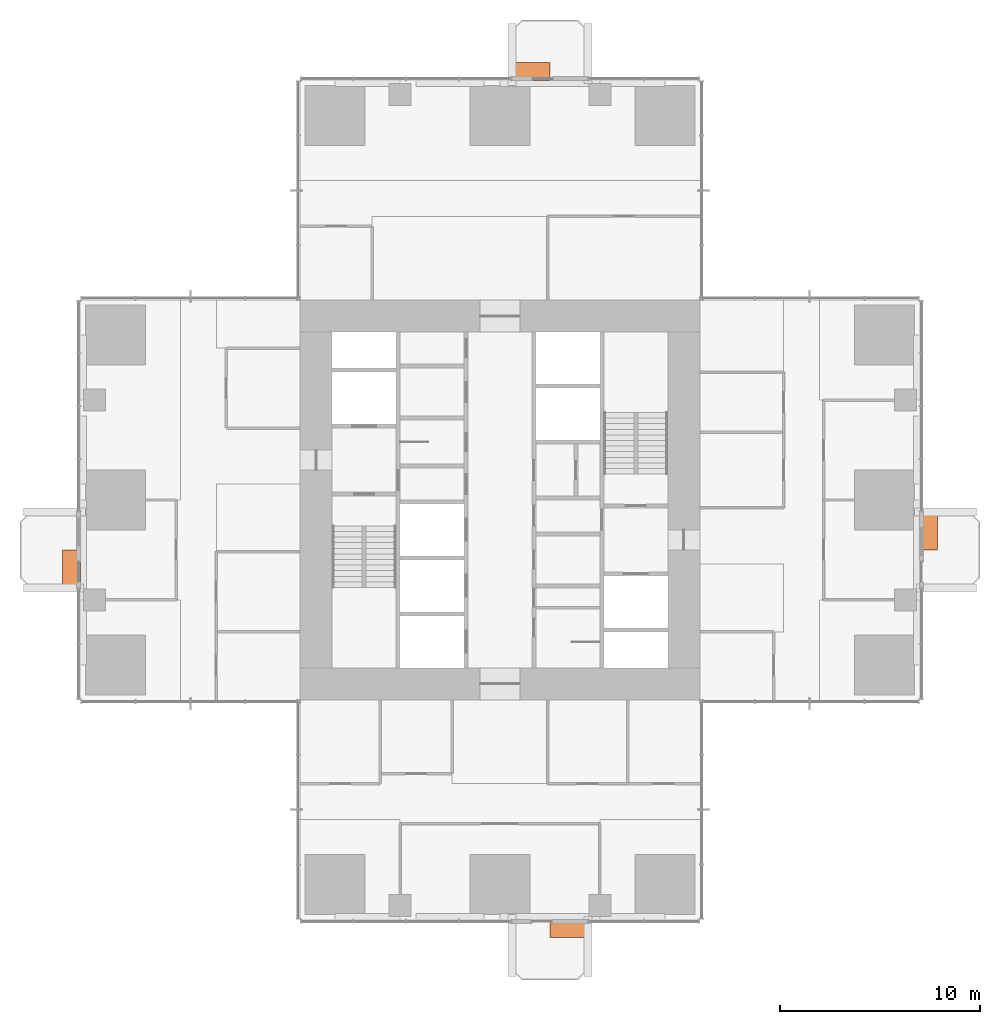
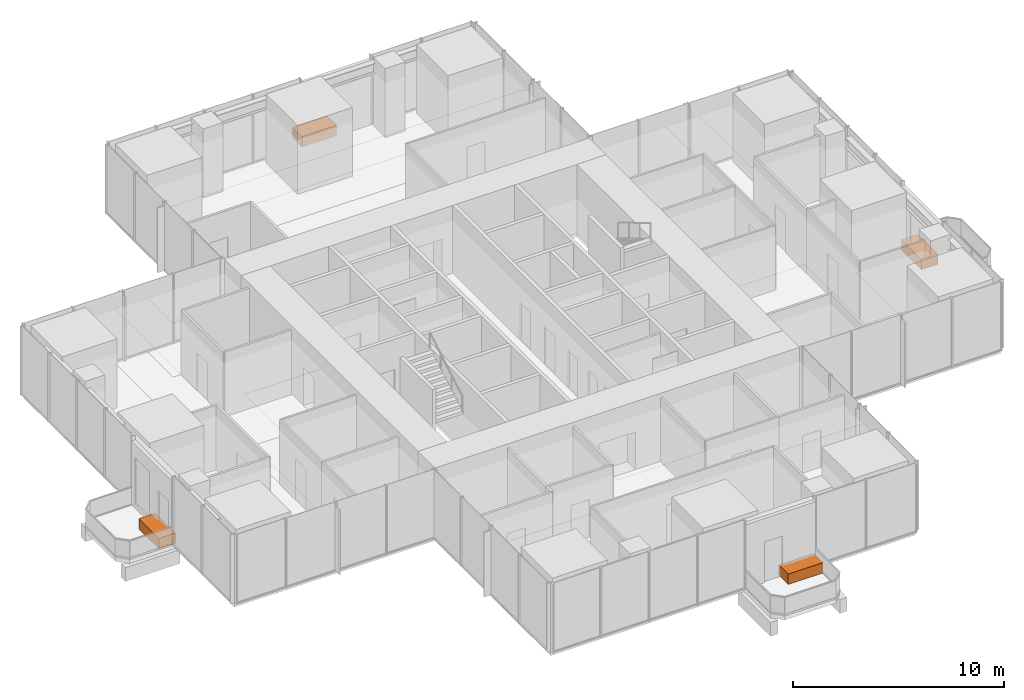
# One storey, part 13 of 13: 4 proxies.
"""IFC4 building model written with IfcOpenShell, lengths in metres."""

import ifcopenshell
import ifcopenshell.guid

model = None  # the IFC model being written
_history = None  # IfcOwnerHistory: only IFC2X3 demands one
_inside = {}  # id of a spatial element -> (the spatial element, [elements in it])
_under = {}  # id of a project, library or spatial element -> (it, [spatial elements below it])
_declared = {}  # id of a project -> (the project, [libraries it declares])
_typed = {}  # id of a type object -> (the type object, [elements of that type])
_made_of = {}  # id of a material, layer set ... -> (it, [elements and type objects made of it])


def new_model(schema):
    """Start an empty IFC model of exactly this schema.

    Asked for "IFC4X3", IfcOpenShell would pick the latest addendum, in which some entities
    have other attributes; the version numbers below select the first issue.
    IFC2X3 requires an IfcOwnerHistory on every rooted entity: one is made here for all.
    """
    global model, _history
    if schema == "IFC4X3":
        model = ifcopenshell.file(schema_version=(4, 3, 0, 0))
    else:
        model = ifcopenshell.file(schema=schema)
    _inside.clear()
    _under.clear()
    _declared.clear()
    _typed.clear()
    _made_of.clear()
    _history = None
    if model.schema == "IFC2X3":
        org = make("IfcOrganization", Name="unknown")
        user = make(
            "IfcPersonAndOrganization",
            ThePerson=make("IfcPerson", FamilyName="unknown"),
            TheOrganization=org,
        )
        app = make(
            "IfcApplication",
            ApplicationDeveloper=org,
            Version="unknown",
            ApplicationFullName="unknown",
            ApplicationIdentifier="unknown",
        )
        _history = make(
            "IfcOwnerHistory",
            OwningUser=user,
            OwningApplication=app,
            ChangeAction="ADDED",
            CreationDate=0,
        )
    return model


def make(cls, **values):
    """One entity of the class cls with the attributes given. An attribute that is None is left unset."""
    return model.create_entity(
        cls, **{name: value for name, value in values.items() if value is not None}
    )


def rooted(cls, **values):
    """An entity with a GlobalId (a new one), such as an element, a storey or a relation."""
    return make(cls, GlobalId=ifcopenshell.guid.new(), OwnerHistory=_history, **values)


def si_unit(unit_type, name, prefix=None):
    """IfcSIUnit, for example si_unit("LENGTHUNIT", "METRE", prefix="MILLI")."""
    return make("IfcSIUnit", UnitType=unit_type, Prefix=prefix, Name=name)


def assignment(units):
    """IfcUnitAssignment: the units of a project."""
    return None if units is None else make("IfcUnitAssignment", Units=units)


def point(xyz):
    """IfcCartesianPoint."""
    return None if xyz is None else make("IfcCartesianPoint", Coordinates=xyz)


def direction(xyz):
    """IfcDirection."""
    return None if xyz is None else make("IfcDirection", DirectionRatios=xyz)


def frame(location, z_axis=None, x_axis=None):
    """IfcAxis2Placement3D, a coordinate frame: its origin and axes. An axis left out is left unset."""
    return make(
        "IfcAxis2Placement3D",
        Location=point(location),
        Axis=direction(z_axis),
        RefDirection=direction(x_axis),
    )


def frame_2d(location, x_axis=None):
    """IfcAxis2Placement2D, a coordinate frame in the plane: its origin and x axis."""
    return make(
        "IfcAxis2Placement2D", Location=point(location), RefDirection=direction(x_axis)
    )


def origin():
    """The frame at (0, 0, 0) with its axes left unset."""
    return frame((0.0, 0.0, 0.0))


def origin_2d():
    """The frame at (0, 0) in the plane with its x axis left unset."""
    return frame_2d((0.0, 0.0))


def place(relative_to, where):
    """IfcLocalPlacement: puts the frame where relative to a parent placement (None: the world)."""
    return make(
        "IfcLocalPlacement", PlacementRelTo=relative_to, RelativePlacement=where
    )


def context(
    kind, dimensions, precision=None, world=None, true_north=None, identifier=None
):
    """IfcGeometricRepresentationContext, for example the 3D "Model" context."""
    return make(
        "IfcGeometricRepresentationContext",
        ContextIdentifier=identifier,
        ContextType=kind,
        CoordinateSpaceDimension=dimensions,
        Precision=precision,
        WorldCoordinateSystem=world,
        TrueNorth=true_north,
    )


def subcontext(parent, identifier, kind, view, scale=None):
    """IfcGeometricRepresentationSubContext, for example "Body" below "Model"."""
    return make(
        "IfcGeometricRepresentationSubContext",
        ContextIdentifier=identifier,
        ContextType=kind,
        ParentContext=parent,
        TargetScale=scale,
        TargetView=view,
    )


def project(units=None, contexts=None):
    """IfcProject with its units and contexts."""
    return rooted(
        "IfcProject",
        Name="project",
        RepresentationContexts=contexts,
        UnitsInContext=assignment(units),
    )


def spatial(cls, under=None, at=None, **own):
    """A site, building, storey or space (cls), placed at a placement, below another one or the project."""
    s = rooted(cls, ObjectPlacement=at, **own)
    if under is not None:
        _under.setdefault(under.id(), (under, []))[1].append(s)
    return s


def profile(cls, at=None, kind="AREA", **sizes):
    """A parametric profile (cls). Its sizes go by their IFC names, for example OverallWidth=200.0."""
    return make(cls, ProfileType=kind, Position=at, **sizes)


def rectangle(**sizes):
    """IfcRectangleProfileDef."""
    return profile("IfcRectangleProfileDef", **sizes)


def extrude(swept, where, along, depth):
    """IfcExtrudedAreaSolid: the profile swept, set in the frame where, extruded along a direction by depth."""
    return make(
        "IfcExtrudedAreaSolid",
        SweptArea=swept,
        Position=where,
        ExtrudedDirection=direction(along),
        Depth=depth,
    )


def shape(context_of_items, identifier, shape_type, items):
    """IfcShapeRepresentation: the items that make up one representation, for example the "Body"."""
    return make(
        "IfcShapeRepresentation",
        ContextOfItems=context_of_items,
        RepresentationIdentifier=identifier,
        RepresentationType=shape_type,
        Items=items,
    )


def made_of(thing, what):
    """Note that an element or type object is made of a material, layer set ...; save() writes the relation."""
    if what is not None:
        _made_of.setdefault(what.id(), (what, []))[1].append(thing)
    return thing


def element(
    cls,
    number,
    at=None,
    inside=None,
    cuts=None,
    type_object=None,
    material=None,
    context=None,
    identifier="Body",
    shape_type=None,
    held_by="IfcProductDefinitionShape",
    body=None,
    shapes=None,
    **own,
):
    """One element of the class cls, such as IfcWall. Its Tag is "e" and its number.

    at: its placement. inside: the storey or other place that contains it. cuts: it is an
    opening in that element (IfcRelVoidsElement). A single representation is given by context,
    identifier, shape_type and body (its items); several are given by shapes. held_by: the class
    of the entity that holds the representations. save() writes the other relations.
    """
    e = rooted(cls, Tag="e%d" % number, ObjectPlacement=at, **own)
    if body is not None:
        shapes = [shape(context, identifier, shape_type, body)]
    if shapes is not None:
        e.Representation = make(held_by, Representations=shapes)
    if inside is not None:
        _inside.setdefault(inside.id(), (inside, []))[1].append(e)
    if cuts is not None:
        rooted(
            "IfcRelVoidsElement", RelatingBuildingElement=cuts, RelatedOpeningElement=e
        )
    if type_object is not None:
        _typed.setdefault(type_object.id(), (type_object, []))[1].append(e)
    return made_of(e, material)


def aggregate(whole, parts):
    """IfcRelAggregates: a whole, such as a stair, and the parts it consists of."""
    return rooted("IfcRelAggregates", RelatingObject=whole, RelatedObjects=parts)


def save(model, path):
    """Write the relations noted so far, then the file.

    IfcRelAggregates (storeys below a building ...), IfcRelContainedInSpatialStructure (elements
    in a storey), IfcRelDefinesByType, IfcRelAssociatesMaterial and IfcRelDeclares: one each for
    every whole, place, type object, material and project.
    """
    for whole, parts in _under.values():
        aggregate(whole, parts)
    for where, things in _inside.values():
        rooted(
            "IfcRelContainedInSpatialStructure",
            RelatedElements=things,
            RelatingStructure=where,
        )
    for kind, things in _typed.values():
        rooted("IfcRelDefinesByType", RelatedObjects=things, RelatingType=kind)
    for what, things in _made_of.values():
        rooted("IfcRelAssociatesMaterial", RelatedObjects=things, RelatingMaterial=what)
    for by, libraries in _declared.values():
        rooted("IfcRelDeclares", RelatingContext=by, RelatedDefinitions=libraries)
    model.write(path)


model = new_model("IFC4")

# Units and contexts
model_context = context("Model", 3, precision=1e-05, world=origin(), true_north=direction((0.0, 1.0)))
body_context = subcontext(model_context, "Body", "Model", "MODEL_VIEW")
ifc_project = project(units=[si_unit("LENGTHUNIT", "METRE"), si_unit("AREAUNIT", "SQUARE_METRE"), si_unit("VOLUMEUNIT", "CUBIC_METRE"), si_unit("PLANEANGLEUNIT", "RADIAN"), si_unit("MASSUNIT", "GRAM", prefix="KILO")], contexts=[model_context])

# Site, building, storey
site_placement = place(None, origin())
site = spatial("IfcSite", under=ifc_project, at=site_placement, CompositionType="ELEMENT")
building_placement = place(site_placement, origin())
building = spatial("IfcBuilding", under=site, at=building_placement, Name="Svetlomir Tower", CompositionType="ELEMENT")
storey_placement = place(building_placement, frame((0.0, 0.0, 144.5)))
storey = spatial("IfcBuildingStorey", under=building, at=storey_placement, Name="L34", CompositionType="ELEMENT", Elevation=144.5)

# Proxies
proxy_1_placement = place(storey_placement, frame((24.449951171875, -0.449951171875, 0.0400390625), z_axis=(0.0, 0.0, 1.0), x_axis=(1.0, 0.0, 0.0)))
element("IfcBuildingElementProxy", 1, at=proxy_1_placement, inside=storey, Name="Tree planter S L34", ObjectType="PLANTER", PredefinedType="USERDEFINED", context=body_context, shape_type="SweptSolid", body=[
    extrude(rectangle(XDim=1.89990234375, YDim=0.89990234375, at=origin_2d()), origin(), (0.0, 0.0, 1.0), 0.60009765625),
])
proxy_2_placement = place(storey_placement, frame((42.449951171875, 19.449951171875, 0.0400390625), z_axis=(0.0, 0.0, 1.0), x_axis=(1.0, 0.0, 0.0)))
element("IfcBuildingElementProxy", 2, at=proxy_2_placement, inside=storey, Name="Tree planter E L34", ObjectType="PLANTER", PredefinedType="USERDEFINED", context=body_context, shape_type="SweptSolid", body=[
    extrude(rectangle(XDim=0.89990234375, YDim=1.89990234375, at=origin_2d()), origin(), (0.0, 0.0, 1.0), 0.60009765625),
])
proxy_3_placement = place(storey_placement, frame((22.550048828125, 42.449951171875, 0.0400390625), z_axis=(0.0, 0.0, 1.0), x_axis=(1.0, 0.0, 0.0)))
element("IfcBuildingElementProxy", 3, at=proxy_3_placement, inside=storey, Name="Tree planter N L34", ObjectType="PLANTER", PredefinedType="USERDEFINED", context=body_context, shape_type="SweptSolid", body=[
    extrude(rectangle(XDim=1.89990234375, YDim=0.89990234375, at=origin_2d()), origin(), (0.0, 0.0, 1.0), 0.60009765625),
])
proxy_4_placement = place(storey_placement, frame((-0.449951171875, 17.550048828125, 0.0400390625), z_axis=(0.0, 0.0, 1.0), x_axis=(1.0, 0.0, 0.0)))
element("IfcBuildingElementProxy", 4, at=proxy_4_placement, inside=storey, Name="Tree planter W L34", ObjectType="PLANTER", PredefinedType="USERDEFINED", context=body_context, shape_type="SweptSolid", body=[
    extrude(rectangle(XDim=0.89990234375, YDim=1.89990234375, at=origin_2d()), origin(), (0.0, 0.0, 1.0), 0.60009765625),
])

save(model, "model.ifc")
